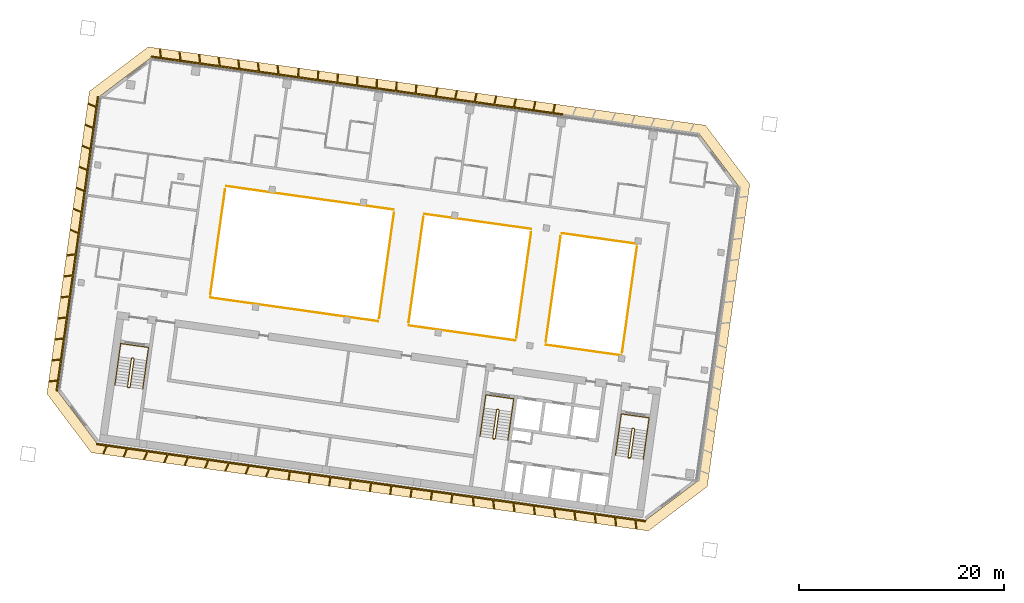
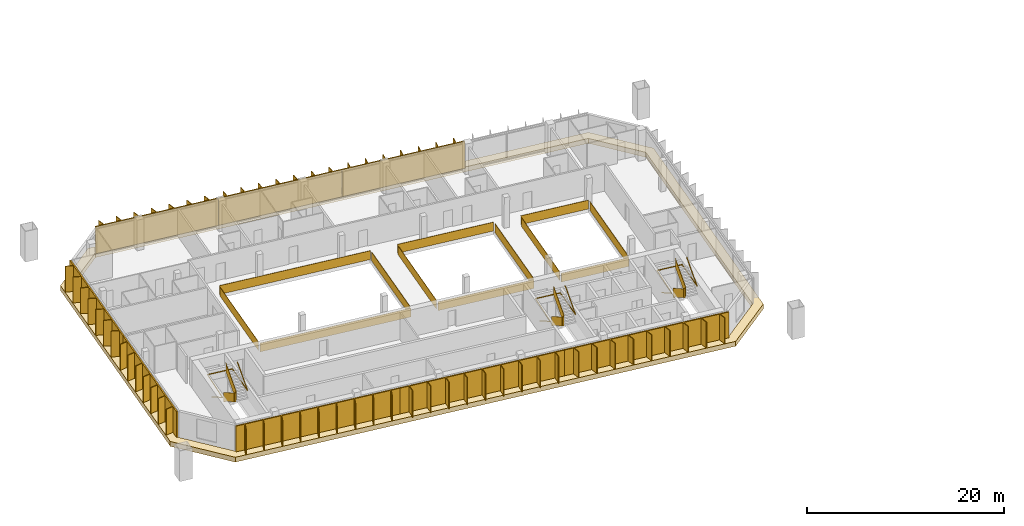
# One storey, part 24 of 26: 18 railings, 8 shading devices, 1 covering.
"""IFC4 building model written with IfcOpenShell, lengths in metres."""

from ifc_helpers import new_model, si_unit, direction, frame, origin, origin_2d, place, context, subcontext, project, spatial, polyline, rectangle, outline, extrude, material, layer, layer_set, type_object, element, save


model = new_model("IFC4")

# Units and contexts
model_context = context("Model", 3, precision=1e-05, world=origin(), true_north=direction((0.0, 1.0)))
body_context = subcontext(model_context, "Body", "Model", "MODEL_VIEW")
ifc_project = project(units=[si_unit("LENGTHUNIT", "METRE"), si_unit("AREAUNIT", "SQUARE_METRE"), si_unit("VOLUMEUNIT", "CUBIC_METRE"), si_unit("PLANEANGLEUNIT", "RADIAN"), si_unit("MASSUNIT", "GRAM", prefix="KILO")], contexts=[model_context])

# Site, building, storey
site_placement = place(None, origin())
site = spatial("IfcSite", under=ifc_project, at=site_placement, CompositionType="ELEMENT")
building_placement = place(site_placement, origin())
building = spatial("IfcBuilding", under=site, at=building_placement, Name="Mirante Cascada Hotel Towers", CompositionType="ELEMENT")
storey_placement = place(building_placement, frame((0.0, 0.0, 161.2)))
storey = spatial("IfcBuildingStorey", under=building, at=storey_placement, Name="L37", CompositionType="ELEMENT", Elevation=161.2)

# Railings
ifc_material_1 = material(Name="Toughened glass with stainless steel handrail", Category="steel")
railing_type_1 = type_object("IfcRailingType", Name="Atrium guard 1100 glass balustrade", PredefinedType="GUARDRAIL", material=ifc_material_1)
railing_1_placement = place(storey_placement, frame((-39.3856, -4.1144, 0.0)))
element("IfcRailing", 1, at=railing_1_placement, inside=storey, type_object=railing_type_1, Name="GUARD 1-L37-1", PredefinedType="GUARDRAIL", context=body_context, shape_type="SweptSolid", body=[
    extrude(rectangle(XDim=0.048, YDim=0.048, at=origin_2d()), frame((0.0, 0.0, 1.076), z_axis=(-0.9902668, 0.1391824, 0.0), x_axis=(-0.1391824, -0.9902668, 0.0)), (0.0, 0.0, 1.0), 7.4234),
    extrude(rectangle(XDim=0.02, YDim=1.052, at=origin_2d()), frame((0.0, 0.0, 0.526), z_axis=(-0.9902668, 0.1391824, 0.0), x_axis=(-0.1391824, -0.9902668, 0.0)), (0.0, 0.0, 1.0), 7.4234),
])
railing_2_placement = place(storey_placement, frame((-45.2058, 7.8117, 0.0)))
element("IfcRailing", 2, at=railing_2_placement, inside=storey, type_object=railing_type_1, Name="GUARD 1-L37-2", PredefinedType="GUARDRAIL", context=body_context, shape_type="SweptSolid", body=[
    extrude(rectangle(XDim=0.048, YDim=0.048, at=origin_2d()), frame((0.0, 0.0, 1.076), z_axis=(0.9902686, -0.1391692, 0.0), x_axis=(0.1391692, 0.9902686, 0.0)), (0.0, 0.0, 1.0), 7.4233),
    extrude(rectangle(XDim=0.02, YDim=1.052, at=origin_2d()), frame((0.0, 0.0, 0.526), z_axis=(0.9902686, -0.1391692, 0.0), x_axis=(0.1391692, 0.9902686, 0.0)), (0.0, 0.0, 1.0), 7.4233),
])
railing_3_placement = place(storey_placement, frame((-49.7075, -2.6637, 0.0)))
element("IfcRailing", 3, at=railing_3_placement, inside=storey, type_object=railing_type_1, Name="GUARD 1-L37-3", PredefinedType="GUARDRAIL", context=body_context, shape_type="SweptSolid", body=[
    extrude(rectangle(XDim=0.048, YDim=0.048, at=origin_2d()), frame((0.0, 0.0, 1.076), z_axis=(-0.9902677, 0.1391758, 0.0), x_axis=(-0.1391758, -0.9902677, 0.0)), (0.0, 0.0, 1.0), 10.5255),
    extrude(rectangle(XDim=0.02, YDim=1.052, at=origin_2d()), frame((0.0, 0.0, 0.526), z_axis=(-0.9902677, 0.1391758, 0.0), x_axis=(-0.1391758, -0.9902677, 0.0)), (0.0, 0.0, 1.0), 10.5255),
])
railing_4_placement = place(storey_placement, frame((-58.5997, 9.6941, 0.0)))
element("IfcRailing", 4, at=railing_4_placement, inside=storey, type_object=railing_type_1, Name="GUARD 1-L37-4", PredefinedType="GUARDRAIL", context=body_context, shape_type="SweptSolid", body=[
    extrude(rectangle(XDim=0.048, YDim=0.048, at=origin_2d()), frame((0.0, 0.0, 1.076), z_axis=(0.9902677, -0.1391758, 0.0), x_axis=(0.1391758, 0.9902677, 0.0)), (0.0, 0.0, 1.0), 10.5255),
    extrude(rectangle(XDim=0.02, YDim=1.052, at=origin_2d()), frame((0.0, 0.0, 0.526), z_axis=(0.9902677, -0.1391758, 0.0), x_axis=(0.1391758, 0.9902677, 0.0)), (0.0, 0.0, 1.0), 10.5255),
])
railing_5_placement = place(storey_placement, frame((-63.1014, -0.7813, 0.0)))
element("IfcRailing", 5, at=railing_5_placement, inside=storey, type_object=railing_type_1, Name="GUARD 1-L37-5", PredefinedType="GUARDRAIL", context=body_context, shape_type="SweptSolid", body=[
    extrude(rectangle(XDim=0.048, YDim=0.048, at=origin_2d()), frame((0.0, 0.0, 1.076), z_axis=(-0.9902679, 0.1391744, 0.0), x_axis=(-0.1391744, -0.9902679, 0.0)), (0.0, 0.0, 1.0), 16.5512),
    extrude(rectangle(XDim=0.02, YDim=1.052, at=origin_2d()), frame((0.0, 0.0, 0.526), z_axis=(-0.9902679, 0.1391744, 0.0), x_axis=(-0.1391744, -0.9902679, 0.0)), (0.0, 0.0, 1.0), 16.5512),
    extrude(rectangle(XDim=0.048, YDim=0.048, at=origin_2d()), frame((-16.3901, 2.3035, 1.076), z_axis=(0.9900663, -0.1406011, 0.0), x_axis=(0.1406011, 0.9900663, 0.0)), (0.0, 0.0, 1.0), 0.0171),
    extrude(rectangle(XDim=0.02, YDim=1.052, at=origin_2d()), frame((-16.3901, 2.3035, 0.526), z_axis=(0.9900663, -0.1406011, 0.0), x_axis=(0.1406011, 0.9900663, 0.0)), (0.0, 0.0, 1.0), 0.0171),
])
railing_6_placement = place(storey_placement, frame((-77.9437, 12.4127, 0.0)))
element("IfcRailing", 6, at=railing_6_placement, inside=storey, type_object=railing_type_1, Name="GUARD 1-L37-6", PredefinedType="GUARDRAIL", context=body_context, shape_type="SweptSolid", body=[
    extrude(rectangle(XDim=0.048, YDim=0.048, at=origin_2d()), frame((0.0, 0.0, 1.076), z_axis=(-0.9900663, 0.1406011, 0.0), x_axis=(-0.1406011, -0.9900663, 0.0)), (0.0, 0.0, 1.0), 0.0171),
    extrude(rectangle(XDim=0.02, YDim=1.052, at=origin_2d()), frame((0.0, 0.0, 0.526), z_axis=(-0.9900663, 0.1406011, 0.0), x_axis=(-0.1406011, -0.9900663, 0.0)), (0.0, 0.0, 1.0), 0.0171),
    extrude(rectangle(XDim=0.048, YDim=0.048, at=origin_2d()), frame((-0.0169, 0.0024, 1.076), z_axis=(0.9902679, -0.1391744, 0.0), x_axis=(0.1391744, 0.9902679, 0.0)), (0.0, 0.0, 1.0), 16.5512),
    extrude(rectangle(XDim=0.02, YDim=1.052, at=origin_2d()), frame((-0.0169, 0.0024, 0.526), z_axis=(0.9902679, -0.1391744, 0.0), x_axis=(0.1391744, 0.9902679, 0.0)), (0.0, 0.0, 1.0), 16.5512),
])
railing_7_placement = place(storey_placement, frame((-78.0512, 12.1295, 0.0)))
element("IfcRailing", 7, at=railing_7_placement, inside=storey, type_object=railing_type_1, Name="GUARD 1-L37-7", PredefinedType="GUARDRAIL", context=body_context, shape_type="SweptSolid", body=[
    extrude(rectangle(XDim=0.048, YDim=0.048, at=origin_2d()), frame((0.0, 0.0, 1.076), z_axis=(-0.1391762, -0.9902676, 0.0), x_axis=(0.9902676, -0.1391762, 0.0)), (0.0, 0.0, 1.0), 10.4091),
    extrude(rectangle(XDim=0.02, YDim=1.052, at=origin_2d()), frame((0.0, 0.0, 0.526), z_axis=(-0.1391762, -0.9902676, 0.0), x_axis=(0.9902676, -0.1391762, 0.0)), (0.0, 0.0, 1.0), 10.4091),
])
railing_8_placement = place(storey_placement, frame((-63.0117, -0.4954, 0.0)))
element("IfcRailing", 8, at=railing_8_placement, inside=storey, type_object=railing_type_1, Name="GUARD 1-L37-8", PredefinedType="GUARDRAIL", context=body_context, shape_type="SweptSolid", body=[
    extrude(rectangle(XDim=0.048, YDim=0.048, at=origin_2d()), frame((0.0, 0.0, 1.076), z_axis=(0.1391721, 0.9902682, 0.0), x_axis=(-0.9902682, 0.1391721, 0.0)), (0.0, 0.0, 1.0), 10.4087),
    extrude(rectangle(XDim=0.02, YDim=1.052, at=origin_2d()), frame((0.0, 0.0, 0.526), z_axis=(0.1391721, 0.9902682, 0.0), x_axis=(-0.9902682, 0.1391721, 0.0)), (0.0, 0.0, 1.0), 10.4087),
])
railing_9_placement = place(storey_placement, frame((-58.6894, 9.4082, 0.0)))
element("IfcRailing", 9, at=railing_9_placement, inside=storey, type_object=railing_type_1, Name="GUARD 1-L37-9", PredefinedType="GUARDRAIL", context=body_context, shape_type="SweptSolid", body=[
    extrude(rectangle(XDim=0.048, YDim=0.048, at=origin_2d()), frame((0.0, 0.0, 1.076), z_axis=(-0.1391721, -0.9902682, 0.0), x_axis=(0.9902682, -0.1391721, 0.0)), (0.0, 0.0, 1.0), 10.4087),
    extrude(rectangle(XDim=0.02, YDim=1.052, at=origin_2d()), frame((0.0, 0.0, 0.526), z_axis=(-0.1391721, -0.9902682, 0.0), x_axis=(0.9902682, -0.1391721, 0.0)), (0.0, 0.0, 1.0), 10.4087),
])
railing_10_placement = place(storey_placement, frame((-49.6178, -2.3778, 0.0)))
element("IfcRailing", 10, at=railing_10_placement, inside=storey, type_object=railing_type_1, Name="GUARD 1-L37-10", PredefinedType="GUARDRAIL", context=body_context, shape_type="SweptSolid", body=[
    extrude(rectangle(XDim=0.048, YDim=0.048, at=origin_2d()), frame((0.0, 0.0, 1.076), z_axis=(0.1391708, 0.9902684, 0.0), x_axis=(-0.9902684, 0.1391708, 0.0)), (0.0, 0.0, 1.0), 10.4088),
    extrude(rectangle(XDim=0.02, YDim=1.052, at=origin_2d()), frame((0.0, 0.0, 0.526), z_axis=(0.1391708, 0.9902684, 0.0), x_axis=(-0.9902684, 0.1391708, 0.0)), (0.0, 0.0, 1.0), 10.4088),
])
railing_11_placement = place(storey_placement, frame((-45.2955, 7.5258, 0.0)))
element("IfcRailing", 11, at=railing_11_placement, inside=storey, type_object=railing_type_1, Name="GUARD 1-L37-11", PredefinedType="GUARDRAIL", context=body_context, shape_type="SweptSolid", body=[
    extrude(rectangle(XDim=0.048, YDim=0.048, at=origin_2d()), frame((0.0, 0.0, 1.076), z_axis=(-0.1391721, -0.9902682, 0.0), x_axis=(0.9902682, -0.1391721, 0.0)), (0.0, 0.0, 1.0), 10.4087),
    extrude(rectangle(XDim=0.02, YDim=1.052, at=origin_2d()), frame((0.0, 0.0, 0.526), z_axis=(-0.1391721, -0.9902682, 0.0), x_axis=(0.9902682, -0.1391721, 0.0)), (0.0, 0.0, 1.0), 10.4087),
])
railing_12_placement = place(storey_placement, frame((-39.295, -3.8287, 0.0)))
element("IfcRailing", 12, at=railing_12_placement, inside=storey, type_object=railing_type_1, Name="GUARD 1-L37-12", PredefinedType="GUARDRAIL", context=body_context, shape_type="SweptSolid", body=[
    extrude(rectangle(XDim=0.048, YDim=0.048, at=origin_2d()), frame((0.0, 0.0, 1.076), z_axis=(0.1391776, 0.9902674, 0.0), x_axis=(-0.9902674, 0.1391776, 0.0)), (0.0, 0.0, 1.0), 10.409),
    extrude(rectangle(XDim=0.02, YDim=1.052, at=origin_2d()), frame((0.0, 0.0, 0.526), z_axis=(0.1391776, 0.9902674, 0.0), x_axis=(-0.9902674, 0.1391776, 0.0)), (0.0, 0.0, 1.0), 10.409),
])

# Covering
ifc_material_2 = material(Name="Precast concrete C40/50 white", Category="concrete")
ifc_layer = layer(ifc_material_2, 0.6)
ifc_layer_set = layer_set([ifc_layer], Name="Precast concrete SUNSHADE band 1000x600")
covering_type = type_object("IfcCoveringType", Name="Precast concrete SUNSHADE band 1000x600", PredefinedType="CLADDING", material=ifc_layer_set)
covering_placement = place(storey_placement, frame((0.0, 0.0, -0.45)))
element("IfcCovering", 13, at=covering_placement, inside=storey, type_object=covering_type, Name="Precast concrete SUNSHADE band T1 L37", PredefinedType="CLADDING", context=body_context, shape_type="SweptSolid", body=[
    extrude(outline(polyline([(-95.4528, -7.862), (-91.3015, 21.6761), (-85.5574, 26.0046), (-31.1614, 18.3598), (-26.8329, 12.6157), (-30.9842, -16.9225), (-36.7283, -21.251), (-91.1243, -13.6061), (-95.4528, -7.862)]), holes=[polyline([(-27.8808, 12.3447), (-31.7107, 17.4271), (-85.2864, 24.9567), (-90.3689, 21.1268), (-94.4049, -7.591), (-90.575, -12.6735), (-36.9993, -20.203), (-31.9168, -16.3731), (-27.8808, 12.3447)])]), origin(), (0.0, 0.0, 1.0), 0.6),
])

# Railings
ifc_material_3 = material(Name="Painted steel", Category="steel")
railing_type_2 = type_object("IfcRailingType", Name="Stair guard 1100 steel balustrade", PredefinedType="GUARDRAIL", material=ifc_material_3)
railing_13_placement = place(storey_placement, frame((-38.1178, -11.2603, 0.0)))
element("IfcRailing", 14, at=railing_13_placement, inside=storey, type_object=railing_type_2, Name="L37 ST1-A stair guard 1", PredefinedType="GUARDRAIL", context=body_context, shape_type="SweptSolid", body=[
    extrude(rectangle(XDim=0.048, YDim=0.048, at=origin_2d()), frame((0.0, 0.0, 1.076), z_axis=(-0.9903326, 0.1387133, 0.0), x_axis=(-0.1387133, -0.9903326, 0.0)), (0.0, 0.0, 1.0), 0.1499),
    extrude(rectangle(XDim=0.02, YDim=1.052, at=origin_2d()), frame((0.0, 0.0, 0.526), z_axis=(-0.9903326, 0.1387133, 0.0), x_axis=(-0.1387133, -0.9903326, 0.0)), (0.0, 0.0, 1.0), 0.1499),
    extrude(rectangle(XDim=0.048, YDim=0.048, at=origin_2d()), frame((-0.1485, 0.0208, 1.076), z_axis=(-0.7991505, -0.6011309, 0.0), x_axis=(0.6011309, -0.7991505, 0.0)), (0.0, 0.9254529, 0.3788627), 0.1866),
    extrude(rectangle(XDim=0.02, YDim=1.052, at=origin_2d()), frame((-0.1485, 0.0208, 0.526), z_axis=(-0.7991505, -0.6011309, 0.0), x_axis=(0.6011309, -0.7991505, 0.0)), (0.0, 0.9254529, 0.3788627), 0.1866),
    extrude(rectangle(XDim=0.048, YDim=0.048, at=origin_2d()), frame((-0.205, -0.0217, 1.2487), z_axis=(-0.139176, -0.9902677, 0.0), x_axis=(0.9902677, -0.139176, 0.0)), (0.0, 0.5250212, 0.8510891), 3.29),
    extrude(rectangle(XDim=0.02, YDim=1.052, at=origin_2d()), frame((-0.205, -0.0217, 0.6987), z_axis=(-0.139176, -0.9902677, 0.0), x_axis=(0.9902677, -0.139176, 0.0)), (0.0, 0.5250212, 0.8510891), 3.29),
    extrude(rectangle(XDim=0.048, YDim=0.048, at=origin_2d()), frame((-0.5947, -2.7945, 2.976), z_axis=(0.9270311, -0.3749843, 0.0), x_axis=(0.3749843, 0.9270311, 0.0)), (0.0, 0.0, 1.0), 0.2061),
    extrude(rectangle(XDim=0.02, YDim=1.052, at=origin_2d()), frame((-0.5947, -2.7945, 2.426), z_axis=(0.9270311, -0.3749843, 0.0), x_axis=(0.3749843, 0.9270311, 0.0)), (0.0, 0.0, 1.0), 0.2061),
    extrude(rectangle(XDim=0.048, YDim=0.048, at=origin_2d()), frame((-0.4036, -2.8718, 2.976), z_axis=(-0.9902408, 0.1393672, 0.0), x_axis=(-0.1393672, -0.9902408, 0.0)), (0.0, 0.0, 1.0), 0.15),
    extrude(rectangle(XDim=0.02, YDim=1.052, at=origin_2d()), frame((-0.4036, -2.8718, 2.426), z_axis=(-0.9902408, 0.1393672, 0.0), x_axis=(-0.1393672, -0.9902408, 0.0)), (0.0, 0.0, 1.0), 0.15),
    extrude(rectangle(XDim=0.048, YDim=0.048, at=origin_2d()), frame((-0.5521, -2.8509, 2.976), z_axis=(0.9944948, 0.1047858, 0.0), x_axis=(-0.1047858, 0.9944948, 0.0)), (0.0, 0.6422034, 0.7665343), 0.2689),
    extrude(rectangle(XDim=0.02, YDim=1.052, at=origin_2d()), frame((-0.5521, -2.8509, 2.426), z_axis=(0.9944948, 0.1047858, 0.0), x_axis=(-0.1047858, 0.9944948, 0.0)), (0.0, 0.6422034, 0.7665343), 0.2689),
    extrude(rectangle(XDim=0.048, YDim=0.048, at=origin_2d()), frame((-0.3471, -2.8293, 3.1487), z_axis=(0.139176, 0.9902677, 0.0), x_axis=(-0.9902677, 0.139176, 0.0)), (0.0, 0.5250212, 0.8510891), 3.29),
    extrude(rectangle(XDim=0.02, YDim=1.052, at=origin_2d()), frame((-0.3471, -2.8293, 2.5987), z_axis=(0.139176, 0.9902677, 0.0), x_axis=(-0.9902677, 0.139176, 0.0)), (0.0, 0.5250212, 0.8510891), 3.29),
])
railing_14_placement = place(storey_placement, frame((-51.3379, -9.4024, 0.0)))
element("IfcRailing", 15, at=railing_14_placement, inside=storey, type_object=railing_type_2, Name="L37 ST1-B stair guard 1", PredefinedType="GUARDRAIL", context=body_context, shape_type="SweptSolid", body=[
    extrude(rectangle(XDim=0.048, YDim=0.048, at=origin_2d()), frame((0.0, 0.0, 1.076), z_axis=(-0.9902408, 0.1393672, 0.0), x_axis=(-0.1393672, -0.9902408, 0.0)), (0.0, 0.0, 1.0), 0.15),
    extrude(rectangle(XDim=0.02, YDim=1.052, at=origin_2d()), frame((0.0, 0.0, 0.526), z_axis=(-0.9902408, 0.1393672, 0.0), x_axis=(-0.1393672, -0.9902408, 0.0)), (0.0, 0.0, 1.0), 0.15),
    extrude(rectangle(XDim=0.048, YDim=0.048, at=origin_2d()), frame((-0.1485, 0.0209, 1.076), z_axis=(-0.7984711, -0.6020331, 0.0), x_axis=(0.6020331, -0.7984711, 0.0)), (0.0, 0.9253398, 0.3791387), 0.1866),
    extrude(rectangle(XDim=0.02, YDim=1.052, at=origin_2d()), frame((-0.1485, 0.0209, 0.526), z_axis=(-0.7984711, -0.6020331, 0.0), x_axis=(0.6020331, -0.7984711, 0.0)), (0.0, 0.9253398, 0.3791387), 0.1866),
    extrude(rectangle(XDim=0.048, YDim=0.048, at=origin_2d()), frame((-0.205, -0.0217, 1.2487), z_axis=(-0.139181, -0.990267, 0.0), x_axis=(0.990267, -0.139181, 0.0)), (0.0, 0.5250347, 0.8510808), 3.2899),
    extrude(rectangle(XDim=0.02, YDim=1.052, at=origin_2d()), frame((-0.205, -0.0217, 0.6987), z_axis=(-0.139181, -0.990267, 0.0), x_axis=(0.990267, -0.139181, 0.0)), (0.0, 0.5250347, 0.8510808), 3.2899),
    extrude(rectangle(XDim=0.048, YDim=0.048, at=origin_2d()), frame((-0.5947, -2.7944, 2.976), z_axis=(0.9268624, -0.3754011, 0.0), x_axis=(0.3754011, 0.9268624, 0.0)), (0.0, 0.0, 1.0), 0.2062),
    extrude(rectangle(XDim=0.02, YDim=1.052, at=origin_2d()), frame((-0.5947, -2.7944, 2.426), z_axis=(0.9268624, -0.3754011, 0.0), x_axis=(0.3754011, 0.9268624, 0.0)), (0.0, 0.0, 1.0), 0.2062),
    extrude(rectangle(XDim=0.048, YDim=0.048, at=origin_2d()), frame((-0.4036, -2.8718, 2.976), z_axis=(-0.9902408, 0.1393672, 0.0), x_axis=(-0.1393672, -0.9902408, 0.0)), (0.0, 0.0, 1.0), 0.15),
    extrude(rectangle(XDim=0.02, YDim=1.052, at=origin_2d()), frame((-0.4036, -2.8718, 2.426), z_axis=(-0.9902408, 0.1393672, 0.0), x_axis=(-0.1393672, -0.9902408, 0.0)), (0.0, 0.0, 1.0), 0.15),
    extrude(rectangle(XDim=0.048, YDim=0.048, at=origin_2d()), frame((-0.5521, -2.8509, 2.976), z_axis=(0.9944441, 0.1052656, 0.0), x_axis=(-0.1052656, 0.9944441, 0.0)), (0.0, 0.6421842, 0.7665504), 0.2689),
    extrude(rectangle(XDim=0.02, YDim=1.052, at=origin_2d()), frame((-0.5521, -2.8509, 2.426), z_axis=(0.9944441, 0.1052656, 0.0), x_axis=(-0.1052656, 0.9944441, 0.0)), (0.0, 0.6421842, 0.7665504), 0.2689),
    extrude(rectangle(XDim=0.048, YDim=0.048, at=origin_2d()), frame((-0.3471, -2.8292, 3.1487), z_axis=(0.139181, 0.990267, 0.0), x_axis=(-0.990267, 0.139181, 0.0)), (0.0, 0.5250347, 0.8510808), 3.2899),
    extrude(rectangle(XDim=0.02, YDim=1.052, at=origin_2d()), frame((-0.3471, -2.8292, 2.5987), z_axis=(0.139181, 0.990267, 0.0), x_axis=(-0.990267, 0.139181, 0.0)), (0.0, 0.5250347, 0.8510808), 3.2899),
])
railing_15_placement = place(storey_placement, frame((-86.9875, -4.3922, 0.0)))
element("IfcRailing", 16, at=railing_15_placement, inside=storey, type_object=railing_type_2, Name="L37 ST1-C stair guard 1", PredefinedType="GUARDRAIL", context=body_context, shape_type="SweptSolid", body=[
    extrude(rectangle(XDim=0.048, YDim=0.048, at=origin_2d()), frame((0.0, 0.0, 1.076), z_axis=(-0.9902537, 0.1392753, 0.0), x_axis=(-0.1392753, -0.9902537, 0.0)), (0.0, 0.0, 1.0), 0.1501),
    extrude(rectangle(XDim=0.02, YDim=1.052, at=origin_2d()), frame((0.0, 0.0, 0.526), z_axis=(-0.9902537, 0.1392753, 0.0), x_axis=(-0.1392753, -0.9902537, 0.0)), (0.0, 0.0, 1.0), 0.1501),
    extrude(rectangle(XDim=0.048, YDim=0.048, at=origin_2d()), frame((-0.1486, 0.0209, 1.076), z_axis=(-0.7986386, -0.601811, 0.0), x_axis=(0.601811, -0.7986386, 0.0)), (0.0, 0.925603, 0.3784959), 0.1866),
    extrude(rectangle(XDim=0.02, YDim=1.052, at=origin_2d()), frame((-0.1486, 0.0209, 0.526), z_axis=(-0.7986386, -0.601811, 0.0), x_axis=(0.601811, -0.7986386, 0.0)), (0.0, 0.925603, 0.3784959), 0.1866),
    extrude(rectangle(XDim=0.048, YDim=0.048, at=origin_2d()), frame((-0.205, -0.0216, 1.2487), z_axis=(-0.139176, -0.9902677, 0.0), x_axis=(0.9902677, -0.139176, 0.0)), (0.0, 0.5250212, 0.8510891), 3.29),
    extrude(rectangle(XDim=0.02, YDim=1.052, at=origin_2d()), frame((-0.205, -0.0216, 0.6987), z_axis=(-0.139176, -0.9902677, 0.0), x_axis=(0.9902677, -0.139176, 0.0)), (0.0, 0.5250212, 0.8510891), 3.29),
    extrude(rectangle(XDim=0.048, YDim=0.048, at=origin_2d()), frame((-0.5947, -2.7944, 2.976), z_axis=(0.9270311, -0.3749843, 0.0), x_axis=(0.3749843, 0.9270311, 0.0)), (0.0, 0.0, 1.0), 0.2061),
    extrude(rectangle(XDim=0.02, YDim=1.052, at=origin_2d()), frame((-0.5947, -2.7944, 2.426), z_axis=(0.9270311, -0.3749843, 0.0), x_axis=(0.3749843, 0.9270311, 0.0)), (0.0, 0.0, 1.0), 0.2061),
    extrude(rectangle(XDim=0.048, YDim=0.048, at=origin_2d()), frame((-0.4036, -2.8717, 2.976), z_axis=(-0.9903454, 0.1386217, 0.0), x_axis=(-0.1386217, -0.9903454, 0.0)), (0.0, 0.0, 1.0), 0.15),
    extrude(rectangle(XDim=0.02, YDim=1.052, at=origin_2d()), frame((-0.4036, -2.8717, 2.426), z_axis=(-0.9903454, 0.1386217, 0.0), x_axis=(-0.1386217, -0.9903454, 0.0)), (0.0, 0.0, 1.0), 0.15),
    extrude(rectangle(XDim=0.048, YDim=0.048, at=origin_2d()), frame((-0.5522, -2.8509, 2.976), z_axis=(0.9944441, 0.1052656, 0.0), x_axis=(-0.1052656, 0.9944441, 0.0)), (0.0, 0.6421842, 0.7665504), 0.2689),
    extrude(rectangle(XDim=0.02, YDim=1.052, at=origin_2d()), frame((-0.5522, -2.8509, 2.426), z_axis=(0.9944441, 0.1052656, 0.0), x_axis=(-0.1052656, 0.9944441, 0.0)), (0.0, 0.6421842, 0.7665504), 0.2689),
    extrude(rectangle(XDim=0.048, YDim=0.048, at=origin_2d()), frame((-0.3472, -2.8292, 3.1487), z_axis=(0.139176, 0.9902677, 0.0), x_axis=(-0.9902677, 0.139176, 0.0)), (0.0, 0.5250212, 0.8510891), 3.29),
    extrude(rectangle(XDim=0.02, YDim=1.052, at=origin_2d()), frame((-0.3472, -2.8292, 2.5987), z_axis=(0.139176, 0.9902677, 0.0), x_axis=(-0.9902677, 0.139176, 0.0)), (0.0, 0.5250212, 0.8510891), 3.29),
])
ifc_material_4 = material(Name="Painted steel", Category="steel")
railing_type_3 = type_object("IfcRailingType", Name="Stair handrail 900 steel tube", PredefinedType="HANDRAIL", material=ifc_material_4)
railing_16_placement = place(storey_placement, frame((-39.5606, -11.1081, 0.1727)))
element("IfcRailing", 17, at=railing_16_placement, inside=storey, type_object=railing_type_3, Name="L37 ST1-A stair handrail 1", PredefinedType="HANDRAIL", context=body_context, shape_type="SweptSolid", body=[
    extrude(rectangle(XDim=0.048, YDim=0.048, at=origin_2d()), frame((0.0, 0.0, 0.876), z_axis=(-0.139181, -0.990267, 0.0), x_axis=(0.990267, -0.139181, 0.0)), (0.0, 0.5250347, 0.8510808), 3.2899),
    extrude(rectangle(XDim=0.048, YDim=0.048, at=origin_2d()), frame((-0.3897, -2.7727, 2.6033), z_axis=(0.1391707, 0.9902684, 0.0), x_axis=(-0.9902684, 0.1391707, 0.0)), (0.0, 0.0420846, 0.999114), 4.1036),
    extrude(rectangle(XDim=0.048, YDim=0.048, at=origin_2d()), frame((0.1809, 1.2874, 2.776), z_axis=(0.9902691, -0.1391657, 0.0), x_axis=(0.1391657, 0.9902691, 0.0)), (0.0, 0.0, 1.0), 2.75),
    extrude(rectangle(XDim=0.048, YDim=0.048, at=origin_2d()), frame((2.9041, 0.9047, 2.776), z_axis=(-0.1391707, -0.9902684, 0.0), x_axis=(0.9902684, -0.1391707, 0.0)), (0.0, 0.0, 1.0), 4.1),
    extrude(rectangle(XDim=0.048, YDim=0.048, at=origin_2d()), frame((2.3335, -3.1554, 2.776), z_axis=(0.139181, 0.990267, 0.0), x_axis=(-0.990267, 0.139181, 0.0)), (0.0, 0.5250347, 0.8510808), 3.2899),
])
railing_17_placement = place(storey_placement, frame((-52.7807, -9.2501, 0.1727)))
element("IfcRailing", 18, at=railing_17_placement, inside=storey, type_object=railing_type_3, Name="L37 ST1-B stair handrail 1", PredefinedType="HANDRAIL", context=body_context, shape_type="SweptSolid", body=[
    extrude(rectangle(XDim=0.048, YDim=0.048, at=origin_2d()), frame((0.0, 0.0, 0.876), z_axis=(-0.139181, -0.990267, 0.0), x_axis=(0.990267, -0.139181, 0.0)), (0.0, 0.5250347, 0.8510808), 3.2899),
    extrude(rectangle(XDim=0.048, YDim=0.048, at=origin_2d()), frame((-0.3897, -2.7727, 2.6033), z_axis=(0.1391707, 0.9902684, 0.0), x_axis=(-0.9902684, 0.1391707, 0.0)), (0.0, 0.0420846, 0.999114), 4.1036),
    extrude(rectangle(XDim=0.048, YDim=0.048, at=origin_2d()), frame((0.1809, 1.2874, 2.776), z_axis=(0.9902641, -0.1392013, 0.0), x_axis=(0.1392013, 0.9902641, 0.0)), (0.0, 0.0, 1.0), 2.75),
    extrude(rectangle(XDim=0.048, YDim=0.048, at=origin_2d()), frame((2.9041, 0.9046, 2.776), z_axis=(-0.1391707, -0.9902684, 0.0), x_axis=(0.9902684, -0.1391707, 0.0)), (0.0, 0.0, 1.0), 4.1),
    extrude(rectangle(XDim=0.048, YDim=0.048, at=origin_2d()), frame((2.3335, -3.1555, 2.776), z_axis=(0.139176, 0.9902677, 0.0), x_axis=(-0.9902677, 0.139176, 0.0)), (0.0, 0.5250212, 0.8510891), 3.29),
])
railing_18_placement = place(storey_placement, frame((-88.4304, -4.2399, 0.1727)))
element("IfcRailing", 19, at=railing_18_placement, inside=storey, type_object=railing_type_3, Name="L37 ST1-C stair handrail 1", PredefinedType="HANDRAIL", context=body_context, shape_type="SweptSolid", body=[
    extrude(rectangle(XDim=0.048, YDim=0.048, at=origin_2d()), frame((0.0, 0.0, 0.876), z_axis=(-0.139181, -0.990267, 0.0), x_axis=(0.990267, -0.139181, 0.0)), (0.0, 0.5250347, 0.8510808), 3.2899),
    extrude(rectangle(XDim=0.048, YDim=0.048, at=origin_2d()), frame((-0.3897, -2.7727, 2.6033), z_axis=(0.1391947, 0.990265, 0.0), x_axis=(-0.990265, 0.1391947, 0.0)), (0.0, 0.0420845, 0.9991141), 4.1036),
    extrude(rectangle(XDim=0.048, YDim=0.048, at=origin_2d()), frame((0.181, 1.2874, 2.776), z_axis=(0.9902691, -0.1391657, 0.0), x_axis=(0.1391657, 0.9902691, 0.0)), (0.0, 0.0, 1.0), 2.75),
    extrude(rectangle(XDim=0.048, YDim=0.048, at=origin_2d()), frame((2.9042, 0.9047, 2.776), z_axis=(-0.1391707, -0.9902684, 0.0), x_axis=(0.9902684, -0.1391707, 0.0)), (0.0, 0.0, 1.0), 4.1),
    extrude(rectangle(XDim=0.048, YDim=0.048, at=origin_2d()), frame((2.3336, -3.1554, 2.776), z_axis=(0.139181, 0.990267, 0.0), x_axis=(-0.990267, 0.139181, 0.0)), (0.0, 0.5250347, 0.8510808), 3.2899),
])

# Shading devices
ifc_material_5 = material(Name="White precast concrete C50/60 fin", Category="concrete")
shading_device_type = type_object("IfcShadingDeviceType", Name="Vertical fin set 4500x900", PredefinedType="USERDEFINED", material=ifc_material_5)
shading_device_1_placement = place(storey_placement, origin())
element("IfcShadingDevice", 20, at=shading_device_1_placement, inside=storey, type_object=shading_device_type, Name="FIN T1 L37 front 1", ObjectType="FIN", PredefinedType="USERDEFINED", context=body_context, shape_type="SweptSolid", body=[
    extrude(outline(polyline([(-72.8006, 23.3534), (-71.8716, 23.2229), (-71.8925, 23.0743), (-85.2864, 24.9567), (-85.2655, 25.1053), (-84.3631, 24.9784), (-84.4652, 25.8097), (-84.3857, 25.8195), (-84.2811, 24.9669), (-82.4497, 24.7095), (-82.5517, 25.5408), (-82.4723, 25.5505), (-82.3677, 24.698), (-80.5362, 24.4406), (-80.6383, 25.2719), (-80.5589, 25.2816), (-80.4542, 24.4291), (-78.6228, 24.1717), (-78.7249, 25.003), (-78.6455, 25.0127), (-78.5408, 24.1602), (-76.7094, 23.9028), (-76.8115, 24.7341), (-76.7321, 24.7438), (-76.6274, 23.8913), (-74.796, 23.6339), (-74.8981, 24.4651), (-74.8187, 24.4749), (-74.714, 23.6223), (-72.8826, 23.365), (-72.9846, 24.1962), (-72.9052, 24.206), (-72.8006, 23.3534)])), origin(), (0.0, 0.0, 1.0), 3.35),
])
shading_device_2_placement = place(storey_placement, origin())
element("IfcShadingDevice", 21, at=shading_device_2_placement, inside=storey, type_object=shading_device_type, Name="FIN T1 L37 front 2", ObjectType="FIN", PredefinedType="USERDEFINED", context=body_context, shape_type="SweptSolid", body=[
    extrude(outline(polyline([(-59.399, 21.47), (-58.4777, 21.3405), (-58.4985, 21.1919), (-71.8925, 23.0743), (-71.8716, 23.2229), (-70.959, 23.0946), (-70.9147, 23.9398), (-70.8348, 23.9356), (-70.8795, 23.0834), (-69.0456, 22.8257), (-69.0013, 23.6708), (-68.9214, 23.6667), (-68.966, 22.8145), (-67.1321, 22.5568), (-67.0879, 23.4019), (-67.008, 23.3977), (-67.0526, 22.5456), (-65.2187, 22.2879), (-65.1744, 23.133), (-65.0945, 23.1288), (-65.1392, 22.2767), (-63.3053, 22.019), (-63.261, 22.8641), (-63.1811, 22.8599), (-63.2258, 22.0078), (-61.3919, 21.75), (-61.3476, 22.5952), (-61.2677, 22.591), (-61.3124, 21.7389), (-59.4785, 21.4811), (-59.4342, 22.3263), (-59.3543, 22.3221), (-59.399, 21.47)])), origin(), (0.0, 0.0, 1.0), 3.35),
])
shading_device_3_placement = place(storey_placement, origin())
element("IfcShadingDevice", 22, at=shading_device_3_placement, inside=storey, type_object=shading_device_type, Name="FIN T1 L37 front 3", ObjectType="FIN", PredefinedType="USERDEFINED", context=body_context, shape_type="SweptSolid", body=[
    extrude(outline(polyline([(-45.9964, 19.5863), (-45.0838, 19.4581), (-45.1046, 19.3095), (-58.4985, 21.1919), (-58.4777, 21.3405), (-57.5564, 21.211), (-57.3644, 22.0424), (-57.2865, 22.0244), (-57.4769, 21.1998), (-55.643, 20.9421), (-55.451, 21.7735), (-55.3731, 21.7555), (-55.5635, 20.9309), (-53.7296, 20.6732), (-53.5376, 21.5046), (-53.4597, 21.4866), (-53.65, 20.662), (-51.8161, 20.4043), (-51.6242, 21.2357), (-51.5462, 21.2177), (-51.7366, 20.3931), (-49.9027, 20.1353), (-49.7108, 20.9668), (-49.6328, 20.9488), (-49.8232, 20.1242), (-47.9893, 19.8664), (-47.7974, 20.6979), (-47.7194, 20.6799), (-47.9098, 19.8553), (-46.0759, 19.5975), (-45.8839, 20.429), (-45.806, 20.411), (-45.9964, 19.5863)])), origin(), (0.0, 0.0, 1.0), 3.35),
])
shading_device_4_placement = place(storey_placement, origin())
element("IfcShadingDevice", 23, at=shading_device_4_placement, inside=storey, type_object=shading_device_type, Name="FIN T1 L37 outer 1", ObjectType="FIN", PredefinedType="USERDEFINED", context=body_context, shape_type="SweptSolid", body=[
    extrude(outline(polyline([(-94.4054, -6.5167), (-94.1286, -4.5475), (-94.9599, -4.6495), (-94.9697, -4.5701), (-94.1171, -4.4655), (-93.8403, -2.4962), (-94.6716, -2.5983), (-94.6814, -2.5189), (-93.8288, -2.4142), (-93.5521, -0.4449), (-94.3833, -0.547), (-94.3931, -0.4676), (-93.5405, -0.3629), (-93.2638, 1.6063), (-94.095, 1.5043), (-94.1048, 1.5837), (-93.2522, 1.6883), (-92.9755, 3.6576), (-93.8068, 3.5555), (-93.8165, 3.6349), (-92.964, 3.7396), (-92.6872, 5.7089), (-93.5185, 5.6068), (-93.5282, 5.6862), (-92.6757, 5.7909), (-92.5354, 6.7888), (-92.3869, 6.7679), (-94.4049, -7.591), (-94.5534, -7.5701), (-94.4169, -6.5987), (-95.2482, -6.7008), (-95.2579, -6.6214), (-94.4054, -6.5167)])), origin(), (0.0, 0.0, 1.0), 3.35),
])
shading_device_5_placement = place(storey_placement, origin())
element("IfcShadingDevice", 24, at=shading_device_5_placement, inside=storey, type_object=shading_device_type, Name="FIN T1 L37 outer 2", ObjectType="FIN", PredefinedType="USERDEFINED", context=body_context, shape_type="SweptSolid", body=[
    extrude(outline(polyline([(-92.3837, 7.8687), (-92.1069, 9.8379), (-92.8976, 10.1736), (-92.8663, 10.2472), (-92.0954, 9.92), (-91.8186, 11.8892), (-92.6093, 12.2248), (-92.578, 12.2985), (-91.8071, 11.9712), (-91.5303, 13.9405), (-92.321, 14.2761), (-92.2897, 14.3497), (-91.5188, 14.0225), (-91.242, 15.9918), (-92.0327, 16.3274), (-92.0014, 16.401), (-91.2305, 16.0738), (-90.9537, 18.043), (-91.7444, 18.3786), (-91.7132, 18.4523), (-90.9422, 18.125), (-90.6655, 20.0943), (-91.4561, 20.4299), (-91.4249, 20.5036), (-90.6539, 20.1763), (-90.5174, 21.1477), (-90.3689, 21.1268), (-92.3869, 6.7679), (-92.5354, 6.7888), (-92.3952, 7.7867), (-93.1859, 8.1223), (-93.1546, 8.1959), (-92.3837, 7.8687)])), origin(), (0.0, 0.0, 1.0), 3.35),
])
shading_device_6_placement = place(storey_placement, origin())
element("IfcShadingDevice", 25, at=shading_device_6_placement, inside=storey, type_object=shading_device_type, Name="FIN T1 L37 rear 1", ObjectType="FIN", PredefinedType="USERDEFINED", context=body_context, shape_type="SweptSolid", body=[
    extrude(outline(polyline([(-38.04, -20.2082), (-39.9423, -19.9409), (-39.8402, -20.7722), (-39.9196, -20.7819), (-40.0243, -19.9294), (-41.9266, -19.662), (-41.8245, -20.4933), (-41.9039, -20.503), (-42.0086, -19.6505), (-43.9109, -19.3832), (-43.8088, -20.2144), (-43.8882, -20.2242), (-43.9929, -19.3716), (-45.8952, -19.1043), (-45.7931, -19.9356), (-45.8725, -19.9453), (-45.9772, -19.0928), (-47.8795, -18.8254), (-47.7774, -19.6567), (-47.8568, -19.6664), (-47.9615, -18.8139), (-49.8637, -18.5465), (-49.7617, -19.3778), (-49.8411, -19.3876), (-49.9458, -18.535), (-51.848, -18.2677), (-51.746, -19.0989), (-51.8254, -19.1087), (-51.93, -18.2561), (-53.8323, -17.9888), (-53.7302, -18.8201), (-53.8096, -18.8298), (-53.9143, -17.9773), (-54.8787, -17.8417), (-54.8578, -17.6932), (-36.9993, -20.203), (-37.0202, -20.3516), (-37.958, -20.2198), (-37.856, -21.051), (-37.9354, -21.0608), (-38.04, -20.2082)])), origin(), (0.0, 0.0, 1.0), 3.35),
])
shading_device_7_placement = place(storey_placement, origin())
element("IfcShadingDevice", 26, at=shading_device_7_placement, inside=storey, type_object=shading_device_type, Name="FIN T1 L37 rear 2", ObjectType="FIN", PredefinedType="USERDEFINED", context=body_context, shape_type="SweptSolid", body=[
    extrude(outline(polyline([(-55.9105, -17.6967), (-57.8155, -17.429), (-57.9338, -18.2707), (-58.0131, -18.2596), (-57.8948, -17.4178), (-59.7998, -17.1501), (-59.9181, -17.9918), (-59.9973, -17.9807), (-59.879, -17.139), (-61.7841, -16.8712), (-61.9024, -17.713), (-61.9816, -17.7018), (-61.8633, -16.8601), (-63.7684, -16.5924), (-63.8867, -17.4341), (-63.9659, -17.423), (-63.8476, -16.5812), (-65.7527, -16.3135), (-65.871, -17.1552), (-65.9502, -17.1441), (-65.8319, -16.3024), (-67.737, -16.0346), (-67.8553, -16.8763), (-67.9345, -16.8652), (-67.8162, -16.0235), (-69.7212, -15.7557), (-69.8395, -16.5975), (-69.9188, -16.5863), (-69.8005, -15.7446), (-71.7055, -15.4769), (-71.8238, -16.3186), (-71.903, -16.3075), (-71.7848, -15.4657), (-72.7373, -15.3319), (-72.7164, -15.1833), (-54.8578, -17.6932), (-54.8787, -17.8417), (-55.8313, -17.7079), (-55.9496, -18.5496), (-56.0288, -18.5384), (-55.9105, -17.6967)])), origin(), (0.0, 0.0, 1.0), 3.35),
])
shading_device_8_placement = place(storey_placement, origin())
element("IfcShadingDevice", 27, at=shading_device_8_placement, inside=storey, type_object=shading_device_type, Name="FIN T1 L37 rear 3", ObjectType="FIN", PredefinedType="USERDEFINED", context=body_context, shape_type="SweptSolid", body=[
    extrude(outline(polyline([(-73.7837, -15.1848), (-75.686, -14.9175), (-76.0216, -15.7081), (-76.0952, -15.6769), (-75.768, -14.9059), (-77.6703, -14.6386), (-78.0059, -15.4293), (-78.0795, -15.398), (-77.7523, -14.6271), (-79.6545, -14.3597), (-79.9902, -15.1504), (-80.0638, -15.1191), (-79.7366, -14.3482), (-81.6388, -14.0808), (-81.9744, -14.8715), (-82.0481, -14.8402), (-81.7208, -14.0693), (-83.6231, -13.802), (-83.9587, -14.5926), (-84.0324, -14.5614), (-83.7051, -13.7904), (-85.6074, -13.5231), (-85.943, -14.3138), (-86.0167, -14.2825), (-85.6894, -13.5116), (-87.5917, -13.2442), (-87.9273, -14.0349), (-88.0009, -14.0036), (-87.6737, -13.2327), (-89.576, -12.9653), (-89.9116, -13.756), (-89.9852, -13.7248), (-89.658, -12.9538), (-90.5958, -12.822), (-90.575, -12.6735), (-72.7164, -15.1833), (-72.7373, -15.3319), (-73.7017, -15.1963), (-74.0373, -15.987), (-74.1109, -15.9557), (-73.7837, -15.1848)])), origin(), (0.0, 0.0, 1.0), 3.35),
])

save(model, "model.ifc")
